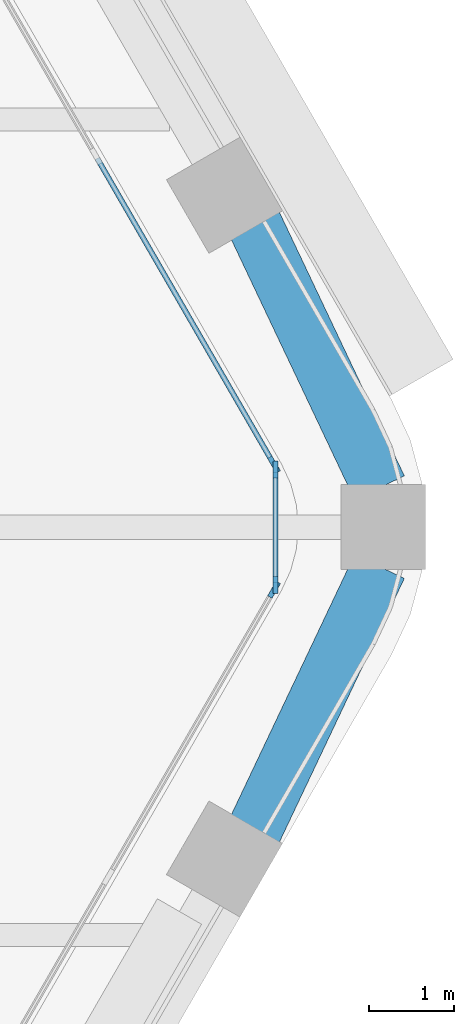
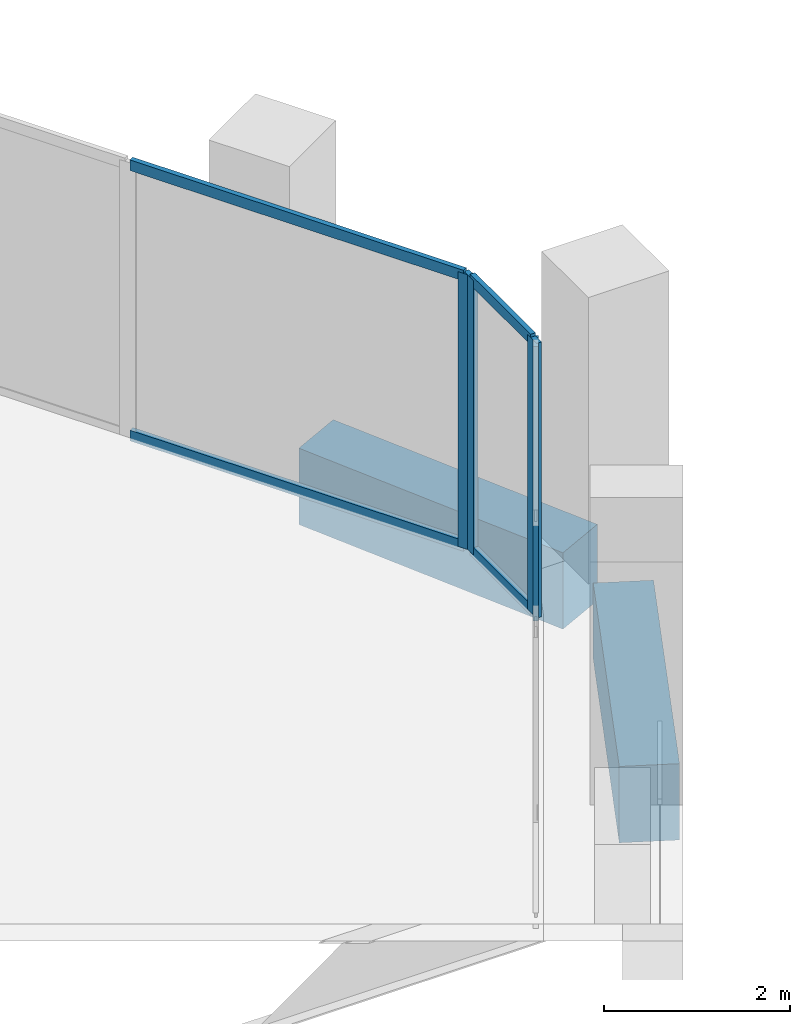
# One storey, part 5 of 16: 8 members, 2 beams, 3 elements without a shape of their own.
"""IFC4 building model written with IfcOpenShell, lengths in metres."""

from ifc_helpers import new_model, si_unit, direction, frame, origin, origin_2d, place, context, subcontext, project, spatial, rectangle, extrude, material, material_profile, profile_set, type_object, element, aggregate, save


model = new_model("IFC4")

# Units and contexts
model_context = context("Model", 3, precision=1e-05, world=origin(), true_north=direction((0.0, 1.0)))
body_context = subcontext(model_context, "Body", "Model", "MODEL_VIEW")
ifc_project = project(units=[si_unit("LENGTHUNIT", "METRE"), si_unit("AREAUNIT", "SQUARE_METRE"), si_unit("VOLUMEUNIT", "CUBIC_METRE"), si_unit("PLANEANGLEUNIT", "RADIAN"), si_unit("MASSUNIT", "GRAM", prefix="KILO")], contexts=[model_context])

# Site, building, storey
site_placement = place(None, origin())
site = spatial("IfcSite", under=ifc_project, at=site_placement, CompositionType="ELEMENT")
building_placement = place(site_placement, origin())
building = spatial("IfcBuilding", under=site, at=building_placement, Name="Kolab Exchange Tower", CompositionType="ELEMENT")
storey_placement = place(building_placement, frame((0.0, 0.0, 209.0)))
storey = spatial("IfcBuildingStorey", under=building, at=storey_placement, Name="L45", CompositionType="ELEMENT", Elevation=209.0)

# Beams
ifc_material_1 = material(Name="Concrete C60/75", Category="concrete")
ifc_material_profile_1 = material_profile(ifc_material_1, rectangle(XDim=0.64990234375, YDim=1.0, at=origin_2d()), Name="RC650X1000")
ifc_profile_set_1 = profile_set([ifc_material_profile_1], Name="Concrete C60/75")
beam_type = type_object("IfcBeamType", Name="SPANDREL BEAM 650X1000 C60/75", PredefinedType="BEAM", material=ifc_profile_set_1)
for number, where, z_axis, x_axis, name in (
    (1, (26.316162109375, 3.5771484375, -0.64990234375), (0.428177731975, -0.903694544545, 0.0), (0.903694544545, 0.428177731975, 0.0), "beam/L45/sp/F2-06"),
    (2, (27.791259765625, -0.4638671875, -0.64990234375), (-0.428177731975, -0.903694544545, 0.0), (0.903694544545, -0.428177731975, 0.0), "beam/L45/sp/F3-01"),
):
    element("IfcBeam", number, at=place(storey_placement, frame(where, z_axis=z_axis, x_axis=x_axis)), inside=storey, type_object=beam_type, Name=name, PredefinedType="BEAM", context=body_context, shape_type="SweptSolid", body=[
        extrude(rectangle(XDim=0.64990234375, YDim=1.0, at=origin_2d()), origin(), (0.0, 0.0, 1.0), 3.445068359375),
    ])

# Curtain wall, member
ifc_material_2 = material(Name="Aluminium EN AW-6063 T6", Category="aluminium")
curtain_wall_type = type_object("IfcCurtainWallType", Name="UNITISED UPPER MID ZONE CURTAIN WALL", PredefinedType="NOTDEFINED", material=ifc_material_2)
curtain_wall_1_placement = place(storey_placement, origin())
curtain_wall_1 = element("IfcCurtainWall", 3, at=curtain_wall_1_placement, inside=storey, type_object=curtain_wall_type, Name="cw/L45/F2-2", PredefinedType="NOTDEFINED")
ifc_material_profile_2 = material_profile(ifc_material_2, rectangle(XDim=0.06005859375, YDim=0.199951171875, at=origin_2d()), Name="RECT 60X200")
ifc_profile_set_2 = profile_set([ifc_material_profile_2], Name="Aluminium EN AW-6063 T6")
member_type_1 = type_object("IfcMemberType", Name="UNITISED UPPER MID ZONE MULLION 60 X 200", PredefinedType="MULLION", material=ifc_profile_set_2)
member_1_placement = place(storey_placement, frame((26.550537109375, 0.736083984375, 0.0), z_axis=(0.0, 0.0, 1.0), x_axis=(0.866025427826, 0.499999958358, 0.0)))
member_1 = element("IfcMember", 4, at=member_1_placement, type_object=member_type_1, Name="CW3 mullion 4", PredefinedType="MULLION", context=body_context, shape_type="SweptSolid", body=[
    extrude(rectangle(XDim=0.06005859375, YDim=0.199951171875, at=origin_2d()), origin(), (0.0, 0.0, 1.0), 3.60009765625),
])

curtain_wall_2_placement = place(storey_placement, origin())
curtain_wall_2 = element("IfcCurtainWall", 5, at=curtain_wall_2_placement, inside=storey, type_object=curtain_wall_type, Name="cw/L45/F3-1", PredefinedType="NOTDEFINED")
member_2_placement = place(storey_placement, frame((26.550537109375, -0.736083984375, 0.0), z_axis=(0.0, 0.0, 1.0), x_axis=(0.866025440524, -0.499999936366, 0.0)))
member_2 = element("IfcMember", 6, at=member_2_placement, type_object=member_type_1, Name="CW3 mullion 1", PredefinedType="MULLION", context=body_context, shape_type="SweptSolid", body=[
    extrude(rectangle(XDim=0.06005859375, YDim=0.199951171875, at=origin_2d()), origin(), (0.0, 0.0, 1.0), 3.60009765625),
])
aggregate(curtain_wall_2, [member_2])

# Curtain wall, members
curtain_wall_3_placement = place(storey_placement, origin())
curtain_wall_3 = element("IfcCurtainWall", 7, at=curtain_wall_3_placement, inside=storey, type_object=curtain_wall_type, Name="cw/L45/F2F3-corner", PredefinedType="NOTDEFINED")
member_3_placement = place(storey_placement, frame((26.565673828125, 0.679931640625, 0.0), z_axis=(0.0, 0.0, 1.0), x_axis=(1.0, 0.0, 0.0)))
member_3 = element("IfcMember", 8, at=member_3_placement, type_object=member_type_1, Name="CW3 mullion 1", PredefinedType="MULLION", context=body_context, shape_type="SweptSolid", body=[
    extrude(rectangle(XDim=0.06005859375, YDim=0.199951171875, at=origin_2d()), origin(), (0.0, 0.0, 1.0), 3.60009765625),
])
member_4_placement = place(storey_placement, frame((26.565673828125, -0.679931640625, 0.0), z_axis=(0.0, 0.0, 1.0), x_axis=(1.0, 0.0, 0.0)))
member_4 = element("IfcMember", 9, at=member_4_placement, type_object=member_type_1, Name="CW3 mullion 2", PredefinedType="MULLION", context=body_context, shape_type="SweptSolid", body=[
    extrude(rectangle(XDim=0.06005859375, YDim=0.199951171875, at=origin_2d()), origin(), (0.0, 0.0, 1.0), 3.60009765625),
])

# Member
ifc_material_profile_3 = material_profile(ifc_material_2, rectangle(XDim=0.06005859375, YDim=0.139892578125, at=origin_2d()), Name="RECT 60X140")
ifc_profile_set_3 = profile_set([ifc_material_profile_3], Name="Aluminium EN AW-6063 T6")
member_type_2 = type_object("IfcMemberType", Name="UNITISED UPPER MID ZONE TRANSOM 60 X 140", PredefinedType="USERDEFINED", material=ifc_profile_set_3)
member_5_placement = place(storey_placement, frame((24.46923828125, 4.3408203125, 0.030029296875), z_axis=(0.500027577057, -0.866009481578, 0.0), x_axis=(0.866009481578, 0.500027577057, 0.0)))
member_5 = element("IfcMember", 10, at=member_5_placement, type_object=member_type_2, Name="CW3 transom 3.1", ObjectType="TRANSOM", PredefinedType="USERDEFINED", context=body_context, shape_type="SweptSolid", body=[
    extrude(rectangle(XDim=0.06005859375, YDim=0.139892578125, at=origin_2d()), origin(), (0.0, 0.0, 1.0), 4.132568359375),
])

member_6_placement = place(storey_placement, frame((24.46923828125, 4.3408203125, 3.570068359375), z_axis=(0.500027577057, -0.866009481578, 0.0), x_axis=(0.866009481578, 0.500027577057, 0.0)))
member_6 = element("IfcMember", 11, at=member_6_placement, type_object=member_type_2, Name="CW3 transom 3.2", ObjectType="TRANSOM", PredefinedType="USERDEFINED", context=body_context, shape_type="SweptSolid", body=[
    extrude(rectangle(XDim=0.06005859375, YDim=0.139892578125, at=origin_2d()), origin(), (0.0, 0.0, 1.0), 4.132568359375),
])

aggregate(curtain_wall_1, [member_1, member_5, member_6])

member_7_placement = place(storey_placement, frame((26.565673828125, 0.64990234375, 0.030029296875), z_axis=(0.0, -1.0, 0.0), x_axis=(1.0, 0.0, 0.0)))
member_7 = element("IfcMember", 12, at=member_7_placement, type_object=member_type_2, Name="CW3 transom 1.1", ObjectType="TRANSOM", PredefinedType="USERDEFINED", context=body_context, shape_type="SweptSolid", body=[
    extrude(rectangle(XDim=0.06005859375, YDim=0.139892578125, at=origin_2d()), origin(), (0.0, 0.0, 1.0), 1.2998046875),
])

member_8_placement = place(storey_placement, frame((26.565673828125, 0.64990234375, 3.570068359375), z_axis=(0.0, -1.0, 0.0), x_axis=(1.0, 0.0, 0.0)))
member_8 = element("IfcMember", 13, at=member_8_placement, type_object=member_type_2, Name="CW3 transom 1.2", ObjectType="TRANSOM", PredefinedType="USERDEFINED", context=body_context, shape_type="SweptSolid", body=[
    extrude(rectangle(XDim=0.06005859375, YDim=0.139892578125, at=origin_2d()), origin(), (0.0, 0.0, 1.0), 1.2998046875),
])

aggregate(curtain_wall_3, [member_3, member_4, member_7, member_8])

save(model, "model.ifc")
